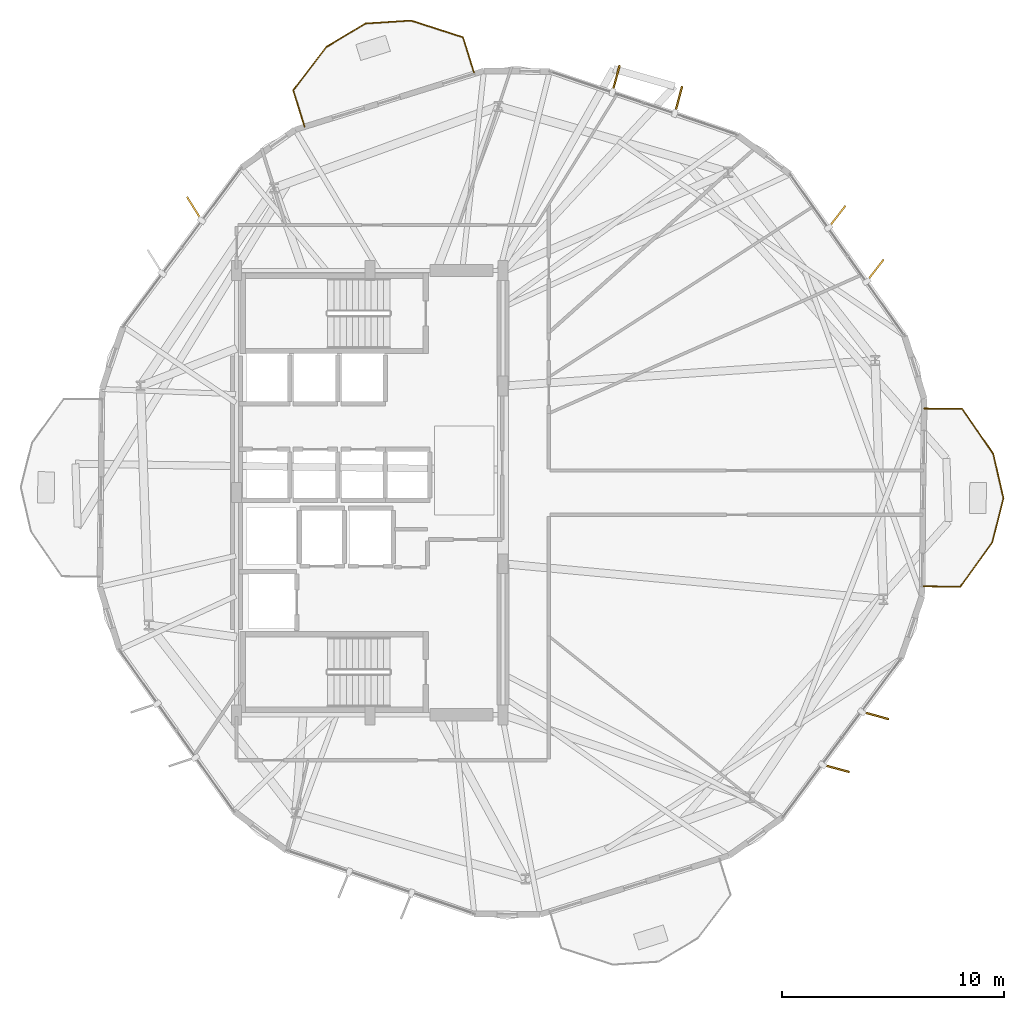
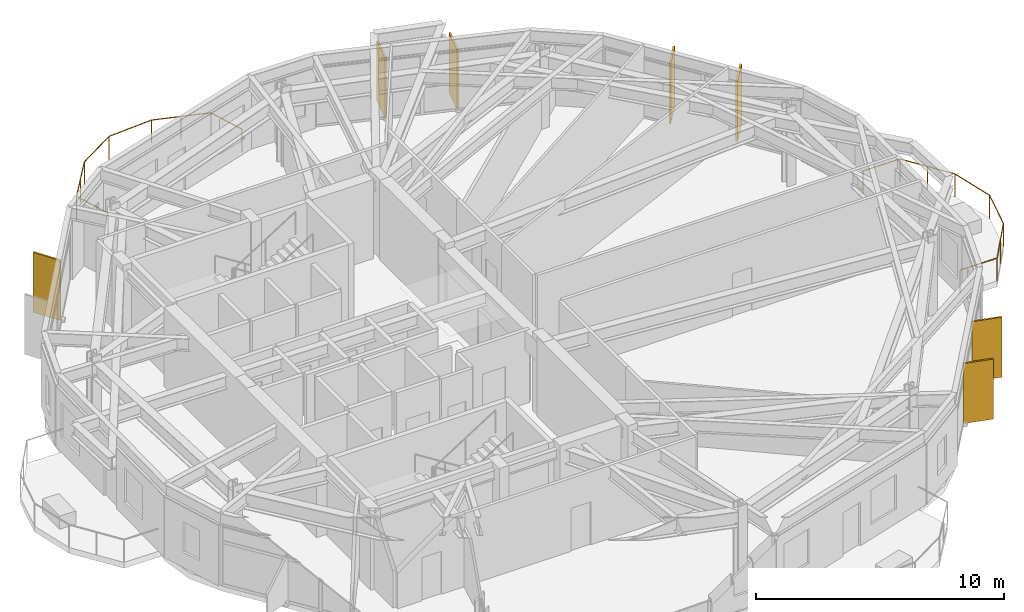
# One storey, part 27 of 27: 7 shading devices, 2 railings.
"""IFC4 building model written with IfcOpenShell, lengths in metres."""

from ifc_helpers import new_model, si_unit, direction, frame, origin, origin_2d, place, context, subcontext, project, spatial, rectangle, circle, extrude, material, layer, layer_set, type_object, element, save


model = new_model("IFC4")

# Units and contexts
model_context = context("Model", 3, precision=1e-05, world=origin(), true_north=direction((0.0, 1.0)))
body_context = subcontext(model_context, "Body", "Model", "MODEL_VIEW")
ifc_project = project(units=[si_unit("LENGTHUNIT", "METRE"), si_unit("AREAUNIT", "SQUARE_METRE"), si_unit("VOLUMEUNIT", "CUBIC_METRE"), si_unit("PLANEANGLEUNIT", "RADIAN"), si_unit("MASSUNIT", "GRAM", prefix="KILO")], contexts=[model_context])

# Site, building, storey
site_placement = place(None, origin())
site = spatial("IfcSite", under=ifc_project, at=site_placement, CompositionType="ELEMENT")
building_placement = place(site_placement, origin())
building = spatial("IfcBuilding", under=site, at=building_placement, Name="Soratama Intermodal Tower", CompositionType="ELEMENT")
storey_placement = place(building_placement, frame((0.0, 0.0, 95.199951171875)))
storey = spatial("IfcBuildingStorey", under=building, at=storey_placement, Name="L22", CompositionType="ELEMENT", Elevation=95.199951171875)

# Railings
ifc_material_1 = material(Name="Laminated glass and stainless steel balustrade", Category="steel")
railing_type = type_object("IfcRailingType", Name="RL-BAL-1150", PredefinedType="BALUSTRADE", material=ifc_material_1)
railing_1_placement = place(storey_placement, frame((63.5537109375, 28.790771484375, 0.0)))
element("IfcRailing", 1, at=railing_1_placement, inside=storey, type_object=railing_type, Name="L22 Balcony Balustrade 1", PredefinedType="BALUSTRADE", context=body_context, shape_type="SweptSolid", body=[
    extrude(circle(Radius=0.02392578125, at=origin_2d()), frame((0.0, 0.0, 1.1259765625), z_axis=(0.999933910116, -0.011496756099, 0.0), x_axis=(0.011496756099, 0.999933910116, 0.0)), (0.0, 0.0, 1.0), 1.719970703125),
    extrude(circle(Radius=0.02392578125, at=origin_2d()), frame((1.719970703125, -0.019775390625, 1.1259765625), z_axis=(0.567707358334, -0.823230438756, 0.0), x_axis=(0.823230438756, 0.567707358334, 0.0)), (0.0, 0.0, 1.0), 2.45166015625),
    extrude(circle(Radius=0.02392578125, at=origin_2d()), frame((3.11181640625, -2.0380859375, 1.1259765625), z_axis=(0.224227609169, -0.974536802428, 0.0), x_axis=(0.974536802428, 0.224227609169, 0.0)), (0.0, 0.0, 1.0), 2.06005859375),
    extrude(circle(Radius=0.02392578125, at=origin_2d()), frame((3.57373046875, -4.045654296875, 1.1259765625), z_axis=(-0.246632734771, -0.969109020771, 0.0), x_axis=(0.969109020771, -0.246632734771, 0.0)), (0.0, 0.0, 1.0), 2.06005859375),
    extrude(circle(Radius=0.02392578125, at=origin_2d()), frame((3.065673828125, -6.0419921875, 1.1259765625), z_axis=(-0.586500802147, -0.809948645953, 0.0), x_axis=(0.809948645953, -0.586500802147, 0.0)), (0.0, 0.0, 1.0), 2.451904296875),
    extrude(circle(Radius=0.02392578125, at=origin_2d()), frame((1.627685546875, -8.02783203125, 1.1259765625), z_axis=(-0.999933910116, 0.011496756099, 0.0), x_axis=(-0.011496756099, -0.999933910116, 0.0)), (0.0, 0.0, 1.0), 1.719970703125),
    extrude(circle(Radius=0.02099609375, at=origin_2d()), origin(), (0.0, 0.0, 1.0), 1.101806640625),
    extrude(circle(Radius=0.02099609375, at=origin_2d()), frame((1.719970703125, -0.019775390625, 0.0)), (0.0, 0.0, 1.0), 1.101806640625),
    extrude(circle(Radius=0.02099609375, at=origin_2d()), frame((2.416015625, -1.02880859375, 0.0)), (0.0, 0.0, 1.0), 1.101806640625),
    extrude(circle(Radius=0.02099609375, at=origin_2d()), frame((3.11181640625, -2.0380859375, 0.0)), (0.0, 0.0, 1.0), 1.101806640625),
    extrude(circle(Radius=0.02099609375, at=origin_2d()), frame((3.57373046875, -4.045654296875, 0.0)), (0.0, 0.0, 1.0), 1.101806640625),
    extrude(circle(Radius=0.02099609375, at=origin_2d()), frame((3.065673828125, -6.0419921875, 0.0)), (0.0, 0.0, 1.0), 1.101806640625),
    extrude(circle(Radius=0.02099609375, at=origin_2d()), frame((2.3466796875, -7.034912109375, 0.0)), (0.0, 0.0, 1.0), 1.101806640625),
    extrude(circle(Radius=0.02099609375, at=origin_2d()), frame((1.627685546875, -8.02783203125, 0.0)), (0.0, 0.0, 1.0), 1.101806640625),
    extrude(circle(Radius=0.02099609375, at=origin_2d()), frame((-0.09228515625, -8.008056640625, 0.0)), (0.0, 0.0, 1.0), 1.101806640625),
])
railing_2_placement = place(storey_placement, frame((35.661376953125, 41.47412109375, 0.0)))
element("IfcRailing", 2, at=railing_2_placement, inside=storey, type_object=railing_type, Name="L22 Balcony Balustrade 2", PredefinedType="BALUSTRADE", context=body_context, shape_type="SweptSolid", body=[
    extrude(circle(Radius=0.02392578125, at=origin_2d()), frame((0.0, 0.0, 1.1259765625), z_axis=(-0.298072937351, 0.954543096994, 0.0), x_axis=(-0.954543096994, -0.298072937351, 0.0)), (0.0, 0.0, 1.0), 1.719970703125),
    extrude(circle(Radius=0.02392578125, at=origin_2d()), frame((-0.5126953125, 1.641845703125, 1.1259765625), z_axis=(0.60746119472, 0.794349354446, 0.0), x_axis=(-0.794349354446, 0.60746119472, 0.0)), (0.0, 0.0, 1.0), 2.451904296875),
    extrude(circle(Radius=0.02392578125, at=origin_2d()), frame((0.976806640625, 3.589599609375, 1.1259765625), z_axis=(0.857628848061, 0.514269150323, 0.0), x_axis=(-0.514269150323, 0.857628848061, 0.0)), (0.0, 0.0, 1.0), 2.059814453125),
    extrude(circle(Radius=0.02392578125, at=origin_2d()), frame((2.743408203125, 4.64892578125, 1.1259765625), z_axis=(0.997880607934, 0.065071440047, 0.0), x_axis=(-0.065071440047, 0.997880607934, 0.0)), (0.0, 0.0, 1.0), 2.059814453125),
    extrude(circle(Radius=0.02392578125, at=origin_2d()), frame((4.798828125, 4.782958984375, 1.1259765625), z_axis=(0.951521683223, -0.307581674286, 0.0), x_axis=(0.307581674286, 0.951521683223, 0.0)), (0.0, 0.0, 1.0), 2.451904296875),
    extrude(circle(Radius=0.02392578125, at=origin_2d()), frame((7.1318359375, 4.02880859375, 1.1259765625), z_axis=(0.298072937351, -0.954543096994, 0.0), x_axis=(0.954543096994, 0.298072937351, 0.0)), (0.0, 0.0, 1.0), 1.719970703125),
    extrude(circle(Radius=0.02099609375, at=origin_2d()), origin(), (0.0, 0.0, 1.0), 1.101806640625),
    extrude(circle(Radius=0.02099609375, at=origin_2d()), frame((-0.5126953125, 1.641845703125, 0.0)), (0.0, 0.0, 1.0), 1.101806640625),
    extrude(circle(Radius=0.02099609375, at=origin_2d()), frame((0.23193359375, 2.61572265625, 0.0)), (0.0, 0.0, 1.0), 1.101806640625),
    extrude(circle(Radius=0.02099609375, at=origin_2d()), frame((0.976806640625, 3.589599609375, 0.0)), (0.0, 0.0, 1.0), 1.101806640625),
    extrude(circle(Radius=0.02099609375, at=origin_2d()), frame((2.743408203125, 4.64892578125, 0.0)), (0.0, 0.0, 1.0), 1.101806640625),
    extrude(circle(Radius=0.02099609375, at=origin_2d()), frame((4.798828125, 4.782958984375, 0.0)), (0.0, 0.0, 1.0), 1.101806640625),
    extrude(circle(Radius=0.02099609375, at=origin_2d()), frame((5.96533203125, 4.40576171875, 0.0)), (0.0, 0.0, 1.0), 1.101806640625),
    extrude(circle(Radius=0.02099609375, at=origin_2d()), frame((7.1318359375, 4.02880859375, 0.0)), (0.0, 0.0, 1.0), 1.101806640625),
    extrude(circle(Radius=0.02099609375, at=origin_2d()), frame((7.64453125, 2.386962890625, 0.0)), (0.0, 0.0, 1.0), 1.101806640625),
])

# Shading devices
ifc_material_2 = material(Name="Champagne anodised aluminium solar fin", Category="aluminium")
ifc_layer = layer(ifc_material_2, 0.080078125)
ifc_layer_set = layer_set([ifc_layer], Name="Champagne anodised aluminium solar fin")
shading_device_type = type_object("IfcShadingDeviceType", Name="SH-FIN-1250", PredefinedType="USERDEFINED", material=ifc_layer_set)
for number, where, z_axis, x_axis, name in (
    (3, (61.351318359375, 35.005126953125, 0.02001953125), (0.0, 0.0, 1.0), (0.611388936315, 0.791330252519, 0.0), "L22 Solar Fin F01-1"),
    (4, (59.6337890625, 37.427490234375, 0.02001953125), (0.0, 0.0, 1.0), (0.611388936315, 0.791330252519, 0.0), "L22 Solar Fin F01-2"),
    (5, (52.49462890625, 42.68408203125, 0.02001953125), (0.0, 0.0, 1.0), (0.257301453681, 0.966331186464, 0.0), "L22 Solar Fin F02-1"),
    (6, (49.68115234375, 43.63427734375, 0.02001953125), (0.0, 0.0, 1.0), (0.257301453681, 0.966331186464, 0.0), "L22 Solar Fin F02-2"),
    (7, (30.697509765625, 37.789306640625, 0.02001953125), (0.0, 0.0, 1.0), (-0.529327085883, 0.848417842899, 0.0), "L22 Solar Fin F04-1"),
    (8, (59.583251953125, 12.587890625, 0.02001953125), (0.0, 0.0, 1.0), (0.964649468762, -0.263536339841, 0.0), "L22 Solar Fin F09-1"),
    (9, (61.356201171875, 14.97021484375, 0.02001953125), (0.0, 0.0, 1.0), (0.964649468762, -0.263536339841, 0.0), "L22 Solar Fin F09-2"),
):
    element("IfcShadingDevice", number, at=place(storey_placement, frame(where, z_axis=z_axis, x_axis=x_axis)), inside=storey, type_object=shading_device_type, Name=name, ObjectType="FIN", PredefinedType="USERDEFINED", context=body_context, shape_type="SweptSolid", body=[
        extrude(rectangle(XDim=1.25, YDim=0.080078125, at=origin_2d()), origin(), (0.0, 0.0, 1.0), 2.958984375),
    ])

save(model, "model.ifc")
